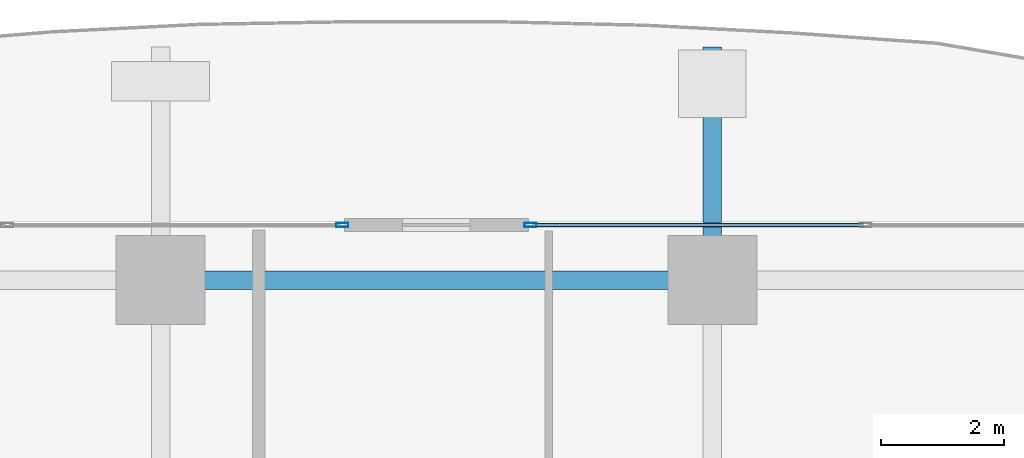
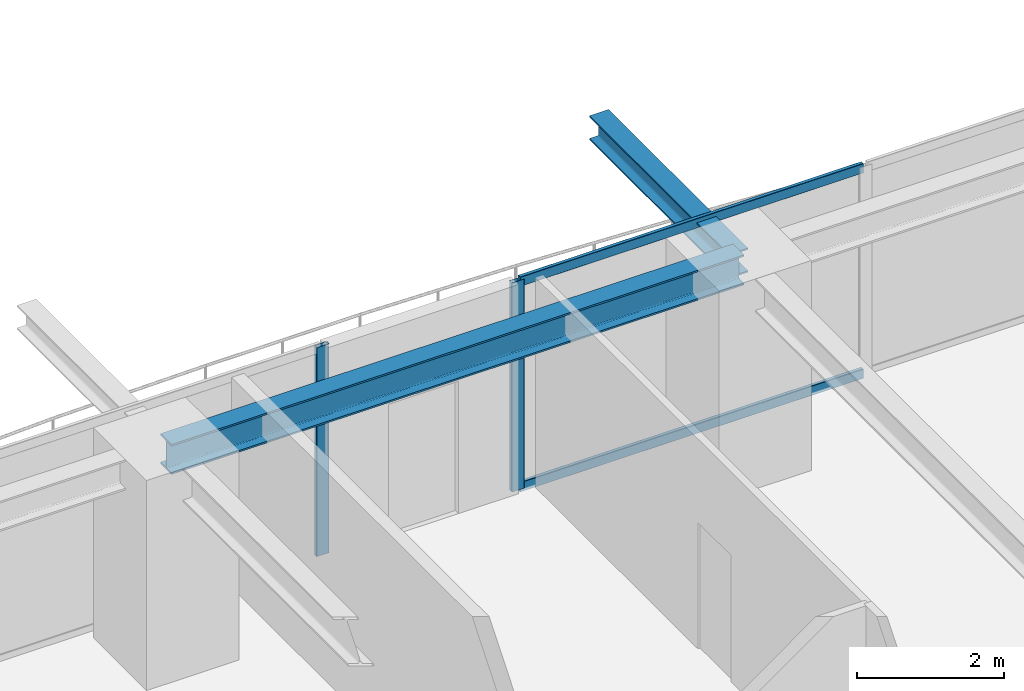
# One storey, part 21 of 38: 4 members, 2 beams, 2 elements without a shape of their own.
"""IFC4 building model written with IfcOpenShell, lengths in metres."""

import ifcopenshell
import ifcopenshell.guid

model = None  # the IFC model being written
_history = None  # IfcOwnerHistory: only IFC2X3 demands one
_inside = {}  # id of a spatial element -> (the spatial element, [elements in it])
_under = {}  # id of a project, library or spatial element -> (it, [spatial elements below it])
_declared = {}  # id of a project -> (the project, [libraries it declares])
_typed = {}  # id of a type object -> (the type object, [elements of that type])
_made_of = {}  # id of a material, layer set ... -> (it, [elements and type objects made of it])


def new_model(schema):
    """Start an empty IFC model of exactly this schema.

    Asked for "IFC4X3", IfcOpenShell would pick the latest addendum, in which some entities
    have other attributes; the version numbers below select the first issue.
    IFC2X3 requires an IfcOwnerHistory on every rooted entity: one is made here for all.
    """
    global model, _history
    if schema == "IFC4X3":
        model = ifcopenshell.file(schema_version=(4, 3, 0, 0))
    else:
        model = ifcopenshell.file(schema=schema)
    _inside.clear()
    _under.clear()
    _declared.clear()
    _typed.clear()
    _made_of.clear()
    _history = None
    if model.schema == "IFC2X3":
        org = make("IfcOrganization", Name="unknown")
        user = make(
            "IfcPersonAndOrganization",
            ThePerson=make("IfcPerson", FamilyName="unknown"),
            TheOrganization=org,
        )
        app = make(
            "IfcApplication",
            ApplicationDeveloper=org,
            Version="unknown",
            ApplicationFullName="unknown",
            ApplicationIdentifier="unknown",
        )
        _history = make(
            "IfcOwnerHistory",
            OwningUser=user,
            OwningApplication=app,
            ChangeAction="ADDED",
            CreationDate=0,
        )
    return model


def make(cls, **values):
    """One entity of the class cls with the attributes given. An attribute that is None is left unset."""
    return model.create_entity(
        cls, **{name: value for name, value in values.items() if value is not None}
    )


def rooted(cls, **values):
    """An entity with a GlobalId (a new one), such as an element, a storey or a relation."""
    return make(cls, GlobalId=ifcopenshell.guid.new(), OwnerHistory=_history, **values)


def si_unit(unit_type, name, prefix=None):
    """IfcSIUnit, for example si_unit("LENGTHUNIT", "METRE", prefix="MILLI")."""
    return make("IfcSIUnit", UnitType=unit_type, Prefix=prefix, Name=name)


def assignment(units):
    """IfcUnitAssignment: the units of a project."""
    return None if units is None else make("IfcUnitAssignment", Units=units)


def point(xyz):
    """IfcCartesianPoint."""
    return None if xyz is None else make("IfcCartesianPoint", Coordinates=xyz)


def direction(xyz):
    """IfcDirection."""
    return None if xyz is None else make("IfcDirection", DirectionRatios=xyz)


def frame(location, z_axis=None, x_axis=None):
    """IfcAxis2Placement3D, a coordinate frame: its origin and axes. An axis left out is left unset."""
    return make(
        "IfcAxis2Placement3D",
        Location=point(location),
        Axis=direction(z_axis),
        RefDirection=direction(x_axis),
    )


def frame_2d(location, x_axis=None):
    """IfcAxis2Placement2D, a coordinate frame in the plane: its origin and x axis."""
    return make(
        "IfcAxis2Placement2D", Location=point(location), RefDirection=direction(x_axis)
    )


def origin():
    """The frame at (0, 0, 0) with its axes left unset."""
    return frame((0.0, 0.0, 0.0))


def origin_2d():
    """The frame at (0, 0) in the plane with its x axis left unset."""
    return frame_2d((0.0, 0.0))


def place(relative_to, where):
    """IfcLocalPlacement: puts the frame where relative to a parent placement (None: the world)."""
    return make(
        "IfcLocalPlacement", PlacementRelTo=relative_to, RelativePlacement=where
    )


def context(
    kind, dimensions, precision=None, world=None, true_north=None, identifier=None
):
    """IfcGeometricRepresentationContext, for example the 3D "Model" context."""
    return make(
        "IfcGeometricRepresentationContext",
        ContextIdentifier=identifier,
        ContextType=kind,
        CoordinateSpaceDimension=dimensions,
        Precision=precision,
        WorldCoordinateSystem=world,
        TrueNorth=true_north,
    )


def subcontext(parent, identifier, kind, view, scale=None):
    """IfcGeometricRepresentationSubContext, for example "Body" below "Model"."""
    return make(
        "IfcGeometricRepresentationSubContext",
        ContextIdentifier=identifier,
        ContextType=kind,
        ParentContext=parent,
        TargetScale=scale,
        TargetView=view,
    )


def project(units=None, contexts=None):
    """IfcProject with its units and contexts."""
    return rooted(
        "IfcProject",
        Name="project",
        RepresentationContexts=contexts,
        UnitsInContext=assignment(units),
    )


def spatial(cls, under=None, at=None, **own):
    """A site, building, storey or space (cls), placed at a placement, below another one or the project."""
    s = rooted(cls, ObjectPlacement=at, **own)
    if under is not None:
        _under.setdefault(under.id(), (under, []))[1].append(s)
    return s


def profile(cls, at=None, kind="AREA", **sizes):
    """A parametric profile (cls). Its sizes go by their IFC names, for example OverallWidth=200.0."""
    return make(cls, ProfileType=kind, Position=at, **sizes)


def hollow_rectangle(**sizes):
    """IfcRectangleHollowProfileDef."""
    return profile("IfcRectangleHollowProfileDef", **sizes)


def i_section(**sizes):
    """IfcIShapeProfileDef."""
    return profile("IfcIShapeProfileDef", **sizes)


def extrude(swept, where, along, depth):
    """IfcExtrudedAreaSolid: the profile swept, set in the frame where, extruded along a direction by depth."""
    return make(
        "IfcExtrudedAreaSolid",
        SweptArea=swept,
        Position=where,
        ExtrudedDirection=direction(along),
        Depth=depth,
    )


def shape(context_of_items, identifier, shape_type, items):
    """IfcShapeRepresentation: the items that make up one representation, for example the "Body"."""
    return make(
        "IfcShapeRepresentation",
        ContextOfItems=context_of_items,
        RepresentationIdentifier=identifier,
        RepresentationType=shape_type,
        Items=items,
    )


def source(mapping_origin, context_of_items, identifier, shape_type, items):
    """IfcRepresentationMap: a shape defined once, which mapped items show again and again."""
    return make(
        "IfcRepresentationMap",
        MappingOrigin=mapping_origin,
        MappedRepresentation=shape(context_of_items, identifier, shape_type, items),
    )


def transform(
    local_origin,
    x_axis=None,
    y_axis=None,
    z_axis=None,
    scale=None,
    scale2=None,
    scale3=None,
    uniform=True,
):
    """IfcCartesianTransformationOperator3D, or its non-uniform kind. x_axis, y_axis, z_axis: its Axis1, 2, 3."""
    if uniform:
        return make(
            "IfcCartesianTransformationOperator3D",
            Axis1=direction(x_axis),
            Axis2=direction(y_axis),
            LocalOrigin=point(local_origin),
            Scale=scale,
            Axis3=direction(z_axis),
        )
    return make(
        "IfcCartesianTransformationOperator3DnonUniform",
        Axis1=direction(x_axis),
        Axis2=direction(y_axis),
        LocalOrigin=point(local_origin),
        Scale=scale,
        Axis3=direction(z_axis),
        Scale2=scale2,
        Scale3=scale3,
    )


def mapped(mapping_source, mapping_target):
    """IfcMappedItem: shows the shape of a source again, moved by a transform."""
    return make(
        "IfcMappedItem", MappingSource=mapping_source, MappingTarget=mapping_target
    )


def material(Name=None, Category=None):
    """IfcMaterial."""
    return make("IfcMaterial", Name=Name, Category=Category)


def layer(
    of_material, thickness, ventilated=None, Name=None, Category=None, Priority=None
):
    """IfcMaterialLayer: one layer of a wall or slab, of a material (None: an air gap)."""
    return make(
        "IfcMaterialLayer",
        Material=of_material,
        LayerThickness=thickness,
        IsVentilated=ventilated,
        Name=Name,
        Category=Category,
        Priority=Priority,
    )


def layer_set(layers, Name=None):
    """IfcMaterialLayerSet."""
    return make("IfcMaterialLayerSet", MaterialLayers=layers, LayerSetName=Name)


def material_profile(
    of_material, cross_section, Name=None, Category=None, Priority=None
):
    """IfcMaterialProfile: a cross section and its material."""
    return make(
        "IfcMaterialProfile",
        Name=Name,
        Material=of_material,
        Profile=cross_section,
        Priority=Priority,
        Category=Category,
    )


def profile_set(profiles, Name=None, composite=None):
    """IfcMaterialProfileSet."""
    return make(
        "IfcMaterialProfileSet",
        Name=Name,
        MaterialProfiles=profiles,
        CompositeProfile=composite,
    )


def made_of(thing, what):
    """Note that an element or type object is made of a material, layer set ...; save() writes the relation."""
    if what is not None:
        _made_of.setdefault(what.id(), (what, []))[1].append(thing)
    return thing


def type_object(cls, material=None, **own):
    """A type object (cls), such as IfcWallType, which elements share."""
    return made_of(rooted(cls, **own), material)


def element(
    cls,
    number,
    at=None,
    inside=None,
    cuts=None,
    type_object=None,
    material=None,
    context=None,
    identifier="Body",
    shape_type=None,
    held_by="IfcProductDefinitionShape",
    body=None,
    shapes=None,
    **own,
):
    """One element of the class cls, such as IfcWall. Its Tag is "e" and its number.

    at: its placement. inside: the storey or other place that contains it. cuts: it is an
    opening in that element (IfcRelVoidsElement). A single representation is given by context,
    identifier, shape_type and body (its items); several are given by shapes. held_by: the class
    of the entity that holds the representations. save() writes the other relations.
    """
    e = rooted(cls, Tag="e%d" % number, ObjectPlacement=at, **own)
    if body is not None:
        shapes = [shape(context, identifier, shape_type, body)]
    if shapes is not None:
        e.Representation = make(held_by, Representations=shapes)
    if inside is not None:
        _inside.setdefault(inside.id(), (inside, []))[1].append(e)
    if cuts is not None:
        rooted(
            "IfcRelVoidsElement", RelatingBuildingElement=cuts, RelatedOpeningElement=e
        )
    if type_object is not None:
        _typed.setdefault(type_object.id(), (type_object, []))[1].append(e)
    return made_of(e, material)


def aggregate(whole, parts):
    """IfcRelAggregates: a whole, such as a stair, and the parts it consists of."""
    return rooted("IfcRelAggregates", RelatingObject=whole, RelatedObjects=parts)


def save(model, path):
    """Write the relations noted so far, then the file.

    IfcRelAggregates (storeys below a building ...), IfcRelContainedInSpatialStructure (elements
    in a storey), IfcRelDefinesByType, IfcRelAssociatesMaterial and IfcRelDeclares: one each for
    every whole, place, type object, material and project.
    """
    for whole, parts in _under.values():
        aggregate(whole, parts)
    for where, things in _inside.values():
        rooted(
            "IfcRelContainedInSpatialStructure",
            RelatedElements=things,
            RelatingStructure=where,
        )
    for kind, things in _typed.values():
        rooted("IfcRelDefinesByType", RelatedObjects=things, RelatingType=kind)
    for what, things in _made_of.values():
        rooted("IfcRelAssociatesMaterial", RelatedObjects=things, RelatingMaterial=what)
    for by, libraries in _declared.values():
        rooted("IfcRelDeclares", RelatingContext=by, RelatedDefinitions=libraries)
    model.write(path)


model = new_model("IFC4")

# Units and contexts
model_context = context("Model", 3, precision=1e-05, world=origin(), true_north=direction((0.0, 1.0)))
body_context = subcontext(model_context, "Body", "Model", "MODEL_VIEW")
ifc_project = project(units=[si_unit("LENGTHUNIT", "METRE"), si_unit("AREAUNIT", "SQUARE_METRE"), si_unit("VOLUMEUNIT", "CUBIC_METRE"), si_unit("PLANEANGLEUNIT", "RADIAN"), si_unit("MASSUNIT", "GRAM", prefix="KILO")], contexts=[model_context])

# Site, building, storey
site_placement = place(None, origin())
site = spatial("IfcSite", under=ifc_project, at=site_placement, CompositionType="ELEMENT")
building_placement = place(site_placement, origin())
building = spatial("IfcBuilding", under=site, at=building_placement, Name="Serunith Strait Residences", CompositionType="ELEMENT")
storey_placement = place(building_placement, frame((0.0, 0.0, 82.949951171875)))
storey = spatial("IfcBuildingStorey", under=building, at=storey_placement, Name="L20", CompositionType="ELEMENT", Elevation=82.949951171875)

# Beams
ifc_material_1 = material(Name="Steel S355J2", Category="steel")
ifc_material_profile_1 = material_profile(ifc_material_1, i_section(OverallWidth=0.300048828125, OverallDepth=0.5, WebThickness=0.014404296875, FlangeThickness=0.028076171875, FilletRadius=0.027099609375, at=origin_2d()), Name="HEB 500")
ifc_profile_set_1 = profile_set([ifc_material_profile_1], Name="Steel S355J2")
beam_type_1 = type_object("IfcBeamType", Name="BM-HEB500", PredefinedType="BEAM", material=ifc_profile_set_1)
shared_shape_1 = source(origin(), body_context, "Body", "SweptSolid", [
    extrude(i_section(OverallWidth=0.300048828125, OverallDepth=0.5, WebThickness=0.014404296875, FlangeThickness=0.028076171875, FilletRadius=0.027099609375, at=origin_2d()), origin(), (0.0, 0.0, 1.0), 9.0),
])
beam_1_placement = place(storey_placement, frame((36.89990234375, 49.300048828125, 3.237060546875), z_axis=(-1.0, 0.0, 0.0), x_axis=(0.0, -1.0, 0.0)))
element("IfcBeam", 1, at=beam_1_placement, inside=storey, type_object=beam_type_1, Name="L20 Perimeter Ring Beam 10", PredefinedType="BEAM", context=body_context, shape_type="MappedRepresentation", body=[
    mapped(shared_shape_1, transform((0.0, 0.0, 0.0), scale=1.0)),
])
ifc_material_profile_2 = material_profile(ifc_material_1, i_section(OverallWidth=0.300048828125, OverallDepth=0.39990234375, WebThickness=0.013427734375, FlangeThickness=0.02392578125, FilletRadius=0.027099609375, at=origin_2d()), Name="HEB 400")
ifc_profile_set_2 = profile_set([ifc_material_profile_2], Name="Steel S355J2")
beam_type_2 = type_object("IfcBeamType", Name="BM-HEB400", PredefinedType="BEAM", material=ifc_profile_set_2)
shared_shape_2 = source(origin(), body_context, "Body", "SweptSolid", [
    extrude(i_section(OverallWidth=0.300048828125, OverallDepth=0.39990234375, WebThickness=0.013427734375, FlangeThickness=0.02392578125, FilletRadius=0.027099609375, at=origin_2d()), origin(), (0.0, 0.0, 1.0), 3.800048828125),
])
beam_2_placement = place(storey_placement, frame((36.89990234375, 49.300048828125, 3.257080078125), z_axis=(0.0, 1.0, 0.0), x_axis=(-1.0, 0.0, 0.0)))
element("IfcBeam", 2, at=beam_2_placement, inside=storey, type_object=beam_type_2, Name="L21 Cantilevered Balcony Rib TC-N3", PredefinedType="BEAM", context=body_context, shape_type="MappedRepresentation", body=[
    mapped(shared_shape_2, transform((0.0, 0.0, 0.0), scale=1.0)),
])

# Curtain wall, member
ifc_material_2 = material(Name="Pale-Champagne Anodised Aluminium", Category="aluminium")
ifc_layer = layer(ifc_material_2, 0.199951171875, Name="Pale-Champagne Anodised Aluminium")
ifc_layer_set = layer_set([ifc_layer], Name="Pale-Champagne Anodised Aluminium")
curtain_wall_type = type_object("IfcCurtainWallType", Name="CW-SYS1", PredefinedType="NOTDEFINED", material=ifc_layer_set)
curtain_wall_1_placement = place(storey_placement, origin())
curtain_wall_1 = element("IfcCurtainWall", 3, at=curtain_wall_1_placement, inside=storey, type_object=curtain_wall_type, Name="L20 N Unitised Fritted Curtain Wall", PredefinedType="NOTDEFINED")
ifc_material_profile_3 = material_profile(ifc_material_2, hollow_rectangle(XDim=0.070068359375, YDim=0.199951171875, WallThickness=0.00390625, InnerFilletRadius=0.006103515625, OuterFilletRadius=0.010009765625, at=origin_2d()), Name="ALU 200x70x4")
ifc_profile_set_3 = profile_set([ifc_material_profile_3], Name="Pale-Champagne Anodised Aluminium")
member_type_1 = type_object("IfcMemberType", Name="CW-SYS1-MULL", PredefinedType="MULLION", material=ifc_profile_set_3)
shared_shape_3 = source(origin(), body_context, "Body", "SweptSolid", [
    extrude(hollow_rectangle(XDim=0.070068359375, YDim=0.199951171875, WallThickness=0.00390625, InnerFilletRadius=0.006103515625, OuterFilletRadius=0.010009765625, at=origin_2d()), origin(), (0.0, 0.0, 1.0), 3.47509765625),
])
member_1_placement = place(storey_placement, frame((33.93505859375, 50.199951171875, 0.0), z_axis=(0.0, 0.0, 1.0), x_axis=(0.0, -1.0, 0.0)))
member_1 = element("IfcMember", 4, at=member_1_placement, type_object=member_type_1, Name="CW-1 mullion 4", PredefinedType="MULLION", context=body_context, shape_type="MappedRepresentation", body=[
    mapped(shared_shape_3, transform((0.0, 0.0, 0.0), scale=1.0)),
])

curtain_wall_2_placement = place(storey_placement, origin())
curtain_wall_2 = element("IfcCurtainWall", 5, at=curtain_wall_2_placement, inside=storey, type_object=curtain_wall_type, Name="L20 N Unitised Fritted Curtain Wall", PredefinedType="NOTDEFINED")
member_2_placement = place(storey_placement, frame((30.864990234375, 50.199951171875, 0.0), z_axis=(0.0, 0.0, 1.0), x_axis=(0.0, -1.0, 0.0)))
member_2 = element("IfcMember", 6, at=member_2_placement, type_object=member_type_1, Name="CW-1 mullion 1", PredefinedType="MULLION", context=body_context, shape_type="MappedRepresentation", body=[
    mapped(shared_shape_3, transform((0.0, 0.0, 0.0), scale=1.0)),
])
aggregate(curtain_wall_2, [member_2])

# Member
ifc_material_profile_4 = material_profile(ifc_material_2, hollow_rectangle(XDim=0.06005859375, YDim=0.159912109375, WallThickness=0.00341796875, InnerFilletRadius=0.00537109375, OuterFilletRadius=0.0087890625, at=origin_2d()), Name="ALU 160x60x3.5")
ifc_profile_set_4 = profile_set([ifc_material_profile_4], Name="Pale-Champagne Anodised Aluminium")
member_type_2 = type_object("IfcMemberType", Name="CW-SYS1-TRAN", PredefinedType="USERDEFINED", material=ifc_profile_set_4)
shared_shape_4 = source(origin(), body_context, "Body", "SweptSolid", [
    extrude(hollow_rectangle(XDim=0.06005859375, YDim=0.159912109375, WallThickness=0.00341796875, InnerFilletRadius=0.00537109375, OuterFilletRadius=0.0087890625, at=origin_2d()), origin(), (0.0, 0.0, 1.0), 5.39501953125),
])
member_3_placement = place(storey_placement, frame((39.364990234375, 50.199951171875, 0.030029296875), z_axis=(-1.0, 0.0, 0.0), x_axis=(0.0, -1.0, 0.0)))
member_3 = element("IfcMember", 7, at=member_3_placement, type_object=member_type_2, Name="CW-1 transom 3.1", ObjectType="TRANSOM", PredefinedType="USERDEFINED", context=body_context, shape_type="MappedRepresentation", body=[
    mapped(shared_shape_4, transform((0.0, 0.0, 0.0), scale=1.0)),
])

member_4_placement = place(storey_placement, frame((39.364990234375, 50.199951171875, 3.445068359375), z_axis=(-1.0, 0.0, 0.0), x_axis=(0.0, -1.0, 0.0)))
member_4 = element("IfcMember", 8, at=member_4_placement, type_object=member_type_2, Name="CW-1 transom 3.2", ObjectType="TRANSOM", PredefinedType="USERDEFINED", context=body_context, shape_type="MappedRepresentation", body=[
    mapped(shared_shape_4, transform((0.0, 0.0, 0.0), scale=1.0)),
])

aggregate(curtain_wall_1, [member_1, member_3, member_4])

save(model, "model.ifc")
